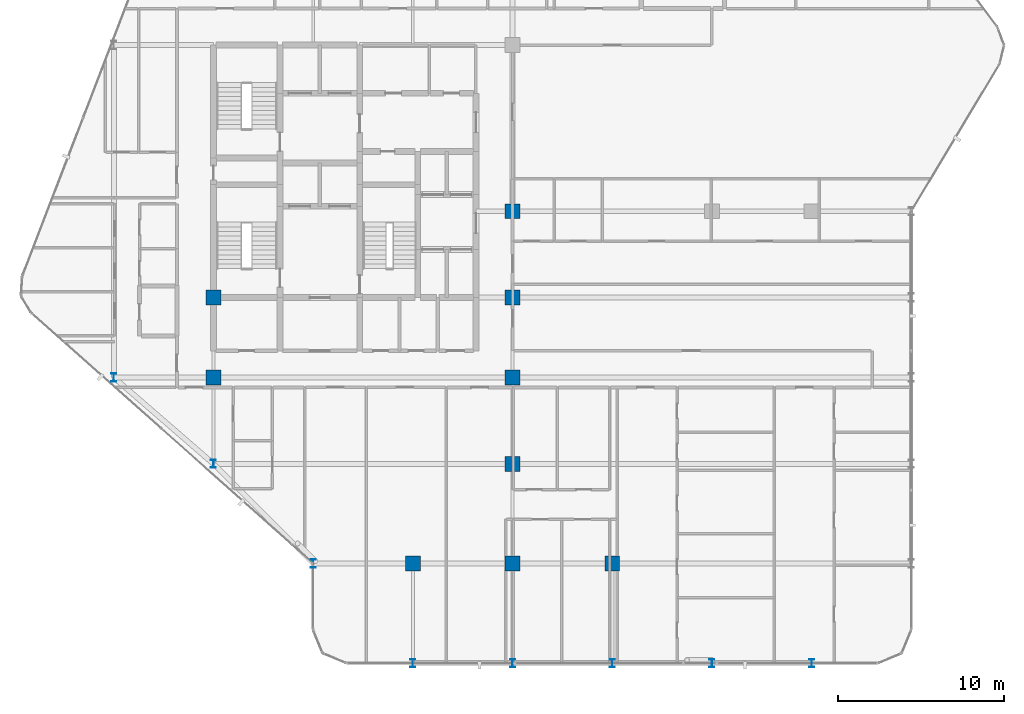
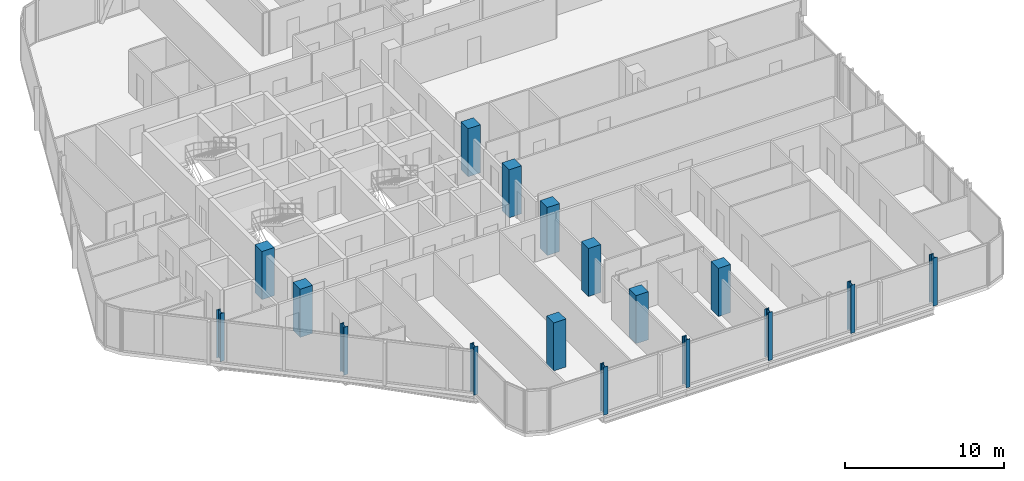
# One storey, part 1 of 31: 17 columns.
"""IFC4 building model written with IfcOpenShell, lengths in metres."""

from ifc_helpers import new_model, si_unit, direction, frame, origin, origin_2d, place, context, subcontext, project, spatial, rectangle, i_section, extrude, material, material_profile, profile_set, type_object, element, save


model = new_model("IFC4")

# Units and contexts
model_context = context("Model", 3, precision=1e-05, world=origin(), true_north=direction((0.0, 1.0)))
body_context = subcontext(model_context, "Body", "Model", "MODEL_VIEW")
ifc_project = project(units=[si_unit("LENGTHUNIT", "METRE"), si_unit("AREAUNIT", "SQUARE_METRE"), si_unit("VOLUMEUNIT", "CUBIC_METRE"), si_unit("PLANEANGLEUNIT", "RADIAN"), si_unit("MASSUNIT", "GRAM", prefix="KILO")], contexts=[model_context])

# Site, building, storey
site_placement = place(None, origin())
site = spatial("IfcSite", under=ifc_project, at=site_placement, CompositionType="ELEMENT")
building_placement = place(site_placement, origin())
building = spatial("IfcBuilding", under=site, at=building_placement, Name="Keshet Zoharim Tower", CompositionType="ELEMENT")
storey_placement = place(building_placement, frame((0.0, 0.0, 155.699951171875)))
storey = spatial("IfcBuildingStorey", under=building, at=storey_placement, Name="L38", CompositionType="ELEMENT", Elevation=155.699951171875)

# Columns
ifc_material_1 = material(Name="Steel S355", Category="steel")
ifc_material_profile_1 = material_profile(ifc_material_1, i_section(OverallWidth=0.300048828125, OverallDepth=0.5, WebThickness=0.014404296875, FlangeThickness=0.028076171875, FilletRadius=0.027099609375, at=origin_2d()), Name="HEB500")
ifc_profile_set_1 = profile_set([ifc_material_profile_1], Name="Steel S355")
column_type_1 = type_object("IfcColumnType", Name="COL-HEB500", PredefinedType="COLUMN", material=ifc_profile_set_1)
for number, where, z_axis, x_axis, name in (
    (1, (9.0, 17.89990234375, 0.0), (0.0, 0.0, 1.0), (1.0, 0.0, 0.0), "L38 Column 2D"),
    (2, (15.0, 12.699951171875, 0.0), (0.0, 0.0, 1.0), (1.0, 0.0, 0.0), "L38 Column 3C"),
    (3, (21.0, 6.699951171875, 0.0), (0.0, 0.0, 1.0), (1.0, 0.0, 0.0), "L38 Column 4B"),
    (4, (27.0, 0.699951171875, 0.0), (0.0, 0.0, 1.0), (1.0, 0.0, 0.0), "L38 Column 5A"),
    (5, (33.0, 0.699951171875, 0.0), (0.0, 0.0, 1.0), (1.0, 0.0, 0.0), "L38 Column 6A"),
    (6, (39.0, 0.699951171875, 0.0), (0.0, 0.0, 1.0), (1.0, 0.0, 0.0), "L38 Column 7A"),
    (7, (45.0, 0.699951171875, 0.0), (0.0, 0.0, 1.0), (1.0, 0.0, 0.0), "L38 Column 8A"),
    (8, (51.0, 0.699951171875, 0.0), (0.0, 0.0, 1.0), (1.0, 0.0, 0.0), "L38 Column 9A"),
):
    element("IfcColumn", number, at=place(storey_placement, frame(where, z_axis=z_axis, x_axis=x_axis)), inside=storey, type_object=column_type_1, Name=name, PredefinedType="COLUMN", context=body_context, shape_type="SweptSolid", body=[
        extrude(i_section(OverallWidth=0.300048828125, OverallDepth=0.5, WebThickness=0.014404296875, FlangeThickness=0.028076171875, FilletRadius=0.027099609375, at=origin_2d()), origin(), (0.0, 0.0, 1.0), 3.699951171875),
    ])
ifc_material_2 = material(Name="Concrete C60/75", Category="concrete")
ifc_material_profile_2 = material_profile(ifc_material_2, rectangle(XDim=0.89990234375, YDim=0.89990234375, at=origin_2d()), Name="RC900x900")
ifc_profile_set_2 = profile_set([ifc_material_profile_2], Name="Concrete C60/75")
column_type_2 = type_object("IfcColumnType", Name="COL-RC900", PredefinedType="COLUMN", material=ifc_profile_set_2)
for number, where, z_axis, x_axis, name in (
    (9, (15.0, 17.89990234375, 0.0), (0.0, 0.0, 1.0), (1.0, 0.0, 0.0), "L38 Column 3D"),
    (10, (15.0, 22.699951171875, 0.0), (0.0, 0.0, 1.0), (1.0, 0.0, 0.0), "L38 Column 3E"),
    (11, (27.0, 6.699951171875, 0.0), (0.0, 0.0, 1.0), (1.0, 0.0, 0.0), "L38 Column 5B"),
    (12, (33.0, 6.699951171875, 0.0), (0.0, 0.0, 1.0), (1.0, 0.0, 0.0), "L38 Column 6B"),
    (13, (33.0, 12.699951171875, 0.0), (0.0, 0.0, 1.0), (1.0, 0.0, 0.0), "L38 Column 6C"),
    (14, (33.0, 17.89990234375, 0.0), (0.0, 0.0, 1.0), (1.0, 0.0, 0.0), "L38 Column 6D"),
    (15, (33.0, 22.699951171875, 0.0), (0.0, 0.0, 1.0), (1.0, 0.0, 0.0), "L38 Column 6E"),
    (16, (33.0, 27.89990234375, 0.0), (0.0, 0.0, 1.0), (1.0, 0.0, 0.0), "L38 Column 6F"),
    (17, (39.0, 6.699951171875, 0.0), (0.0, 0.0, 1.0), (1.0, 0.0, 0.0), "L38 Column 7B"),
):
    element("IfcColumn", number, at=place(storey_placement, frame(where, z_axis=z_axis, x_axis=x_axis)), inside=storey, type_object=column_type_2, Name=name, PredefinedType="COLUMN", context=body_context, shape_type="SweptSolid", body=[
        extrude(rectangle(XDim=0.89990234375, YDim=0.89990234375, at=origin_2d()), origin(), (0.0, 0.0, 1.0), 3.699951171875),
    ])

save(model, "model.ifc")
